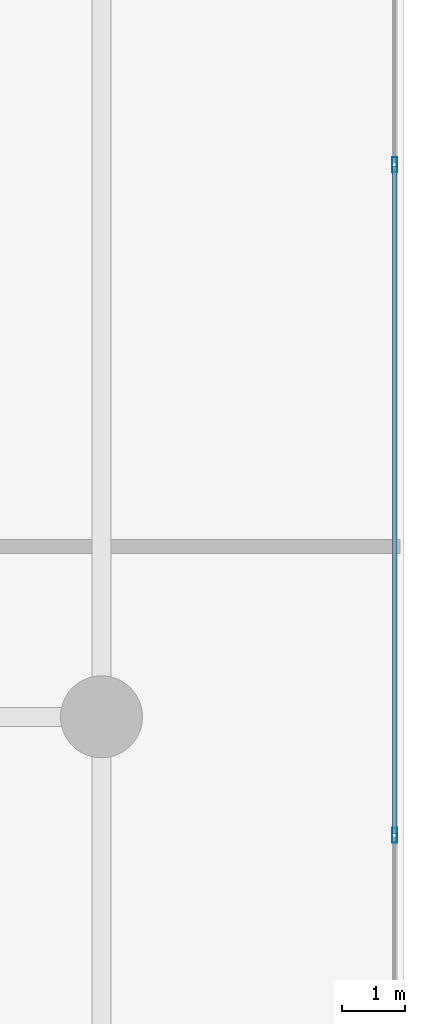
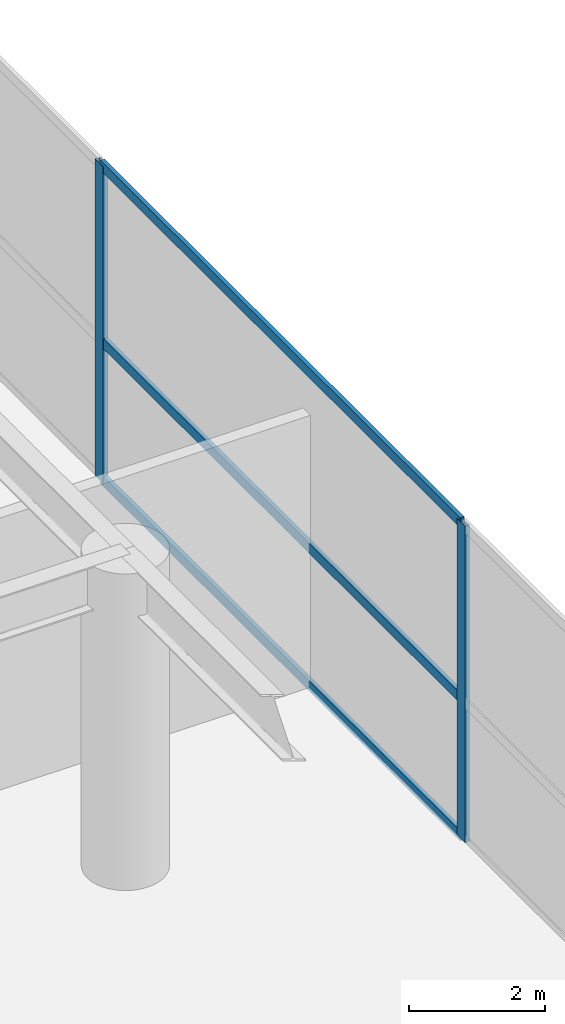
# One storey, part 26 of 35: 5 members, 1 element without a shape of its own.
"""IFC4 building model written with IfcOpenShell, lengths in metres."""

from ifc_helpers import new_model, si_unit, direction, frame, origin, origin_2d, place, context, subcontext, project, spatial, hollow_rectangle, extrude, material, layer, layer_set, material_profile, profile_set, type_object, element, aggregate, save


model = new_model("IFC4")

# Units and contexts
model_context = context("Model", 3, precision=1e-05, world=origin(), true_north=direction((0.0, 1.0)))
body_context = subcontext(model_context, "Body", "Model", "MODEL_VIEW")
ifc_project = project(units=[si_unit("LENGTHUNIT", "METRE"), si_unit("AREAUNIT", "SQUARE_METRE"), si_unit("VOLUMEUNIT", "CUBIC_METRE"), si_unit("PLANEANGLEUNIT", "RADIAN"), si_unit("MASSUNIT", "GRAM", prefix="KILO")], contexts=[model_context])

# Site, building, storey
site_placement = place(None, origin())
site = spatial("IfcSite", under=ifc_project, at=site_placement, CompositionType="ELEMENT")
building_placement = place(site_placement, origin())
building = spatial("IfcBuilding", under=site, at=building_placement, Name="Calvorn Quay Hotel", CompositionType="ELEMENT")
storey_placement = place(building_placement, frame((0.0, 0.0, 6.0)))
storey = spatial("IfcBuildingStorey", under=building, at=storey_placement, Name="L01", CompositionType="ELEMENT", Elevation=6.0)

# Curtain wall, members
ifc_material_1 = material(Name="Pale Anodised Aluminium and Low-E Glass", Category="aluminium")
ifc_layer = layer(ifc_material_1, 0.219970703125)
ifc_layer_set = layer_set([ifc_layer], Name="CW-SYS-POD")
curtain_wall_type = type_object("IfcCurtainWallType", Name="CW-SYS-POD", PredefinedType="NOTDEFINED", material=ifc_layer_set)
curtain_wall_placement = place(storey_placement, origin())
curtain_wall = element("IfcCurtainWall", 1, at=curtain_wall_placement, inside=storey, type_object=curtain_wall_type, Name="Podium Curtain Wall L01-E1", PredefinedType="NOTDEFINED")
ifc_material_2 = material(Name="Pale Anodised Aluminium 6063-T6", Category="aluminium")
ifc_material_profile_1 = material_profile(ifc_material_2, hollow_rectangle(XDim=0.080078125, YDim=0.239990234375, WallThickness=0.0048828125, at=origin_2d()), Name="ALU-M240x80x5")
ifc_profile_set_1 = profile_set([ifc_material_profile_1], Name="Pale Anodised Aluminium 6063-T6")
member_type_1 = type_object("IfcMemberType", Name="CW-SYS-POD-MUL", PredefinedType="MULLION", material=ifc_profile_set_1)
member_1_placement = place(storey_placement, frame((83.85009765625, 34.320068359375, 0.0), z_axis=(0.0, 0.0, 1.0), x_axis=(-1.0, 0.0, 0.0)))
member_1 = element("IfcMember", 2, at=member_1_placement, type_object=member_type_1, Name="CW-L01-E1 mullion 4", PredefinedType="MULLION", context=body_context, shape_type="SweptSolid", body=[
    extrude(hollow_rectangle(XDim=0.080078125, YDim=0.239990234375, WallThickness=0.0048828125, at=origin_2d()), origin(), (0.0, 0.0, 1.0), 5.679931640625),
])
member_2_placement = place(storey_placement, frame((83.85009765625, 44.9599609375, 0.0), z_axis=(0.0, 0.0, 1.0), x_axis=(-1.0, 0.0, 0.0)))
member_2 = element("IfcMember", 3, at=member_2_placement, type_object=member_type_1, Name="CW-L01-E1 mullion 5", PredefinedType="MULLION", context=body_context, shape_type="SweptSolid", body=[
    extrude(hollow_rectangle(XDim=0.080078125, YDim=0.239990234375, WallThickness=0.0048828125, at=origin_2d()), origin(), (0.0, 0.0, 1.0), 5.679931640625),
])
ifc_material_3 = material(Name="Pale Anodised Aluminium 6063-T6", Category="aluminium")
ifc_material_profile_2 = material_profile(ifc_material_3, hollow_rectangle(XDim=0.070068359375, YDim=0.179931640625, WallThickness=0.00390625, at=origin_2d()), Name="ALU-T180x70x4")
ifc_profile_set_2 = profile_set([ifc_material_profile_2], Name="Pale Anodised Aluminium 6063-T6")
member_type_2 = type_object("IfcMemberType", Name="CW-SYS-POD-TRN", PredefinedType="USERDEFINED", material=ifc_profile_set_2)
member_3_placement = place(storey_placement, frame((83.85009765625, 34.35009765625, 0.030029296875), z_axis=(0.0, 1.0, 0.0), x_axis=(-1.0, 0.0, 0.0)))
member_3 = element("IfcMember", 4, at=member_3_placement, type_object=member_type_2, Name="CW-L01-E1 transom 4.1", ObjectType="TRANSOM", PredefinedType="USERDEFINED", context=body_context, shape_type="SweptSolid", body=[
    extrude(hollow_rectangle(XDim=0.070068359375, YDim=0.179931640625, WallThickness=0.00390625, at=origin_2d()), origin(), (0.0, 0.0, 1.0), 10.579833984375),
])
member_4_placement = place(storey_placement, frame((83.85009765625, 34.35009765625, 2.5), z_axis=(0.0, 1.0, 0.0), x_axis=(-1.0, 0.0, 0.0)))
member_4 = element("IfcMember", 5, at=member_4_placement, type_object=member_type_2, Name="CW-L01-E1 transom 4.2", ObjectType="TRANSOM", PredefinedType="USERDEFINED", context=body_context, shape_type="SweptSolid", body=[
    extrude(hollow_rectangle(XDim=0.070068359375, YDim=0.179931640625, WallThickness=0.00390625, at=origin_2d()), origin(), (0.0, 0.0, 1.0), 10.579833984375),
])
member_5_placement = place(storey_placement, frame((83.85009765625, 34.35009765625, 5.64990234375), z_axis=(0.0, 1.0, 0.0), x_axis=(-1.0, 0.0, 0.0)))
member_5 = element("IfcMember", 6, at=member_5_placement, type_object=member_type_2, Name="CW-L01-E1 transom 4.3", ObjectType="TRANSOM", PredefinedType="USERDEFINED", context=body_context, shape_type="SweptSolid", body=[
    extrude(hollow_rectangle(XDim=0.070068359375, YDim=0.179931640625, WallThickness=0.00390625, at=origin_2d()), origin(), (0.0, 0.0, 1.0), 10.579833984375),
])
aggregate(curtain_wall, [member_1, member_2, member_3, member_4, member_5])

save(model, "model.ifc")
